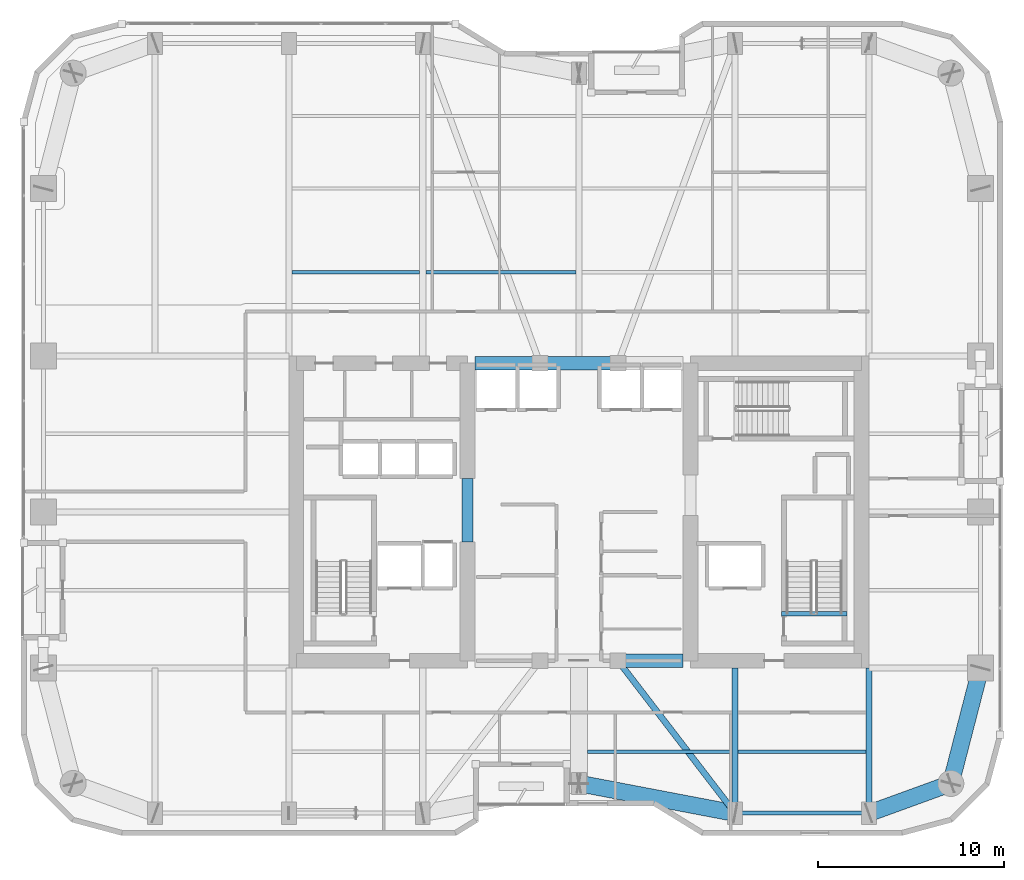
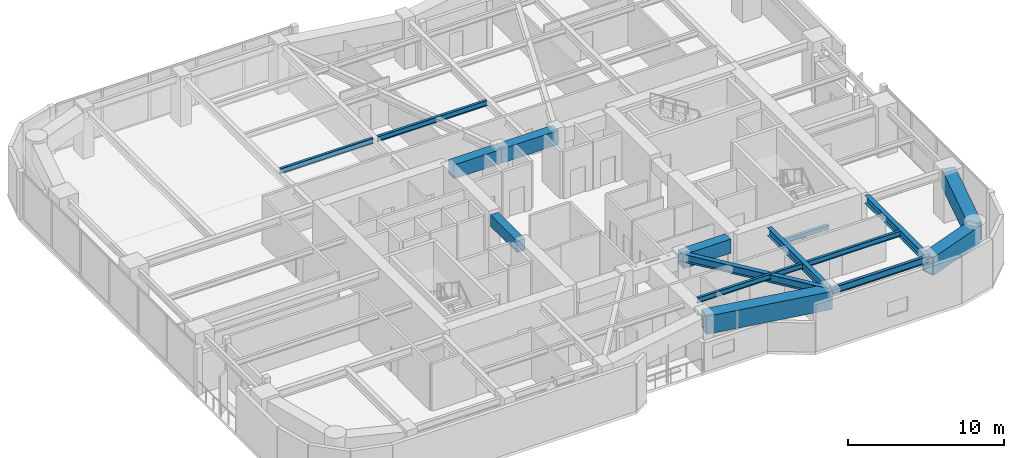
# One storey, part 8 of 30: 16 beams.
"""IFC4 building model written with IfcOpenShell, lengths in metres."""

from ifc_helpers import new_model, si_unit, direction, frame, origin, origin_2d, place, context, subcontext, project, spatial, rectangle, hollow_rectangle, i_section, extrude, material, material_profile, profile_set, type_object, element, save


model = new_model("IFC4")

# Units and contexts
model_context = context("Model", 3, precision=1e-05, world=origin(), true_north=direction((0.0, 1.0)))
body_context = subcontext(model_context, "Body", "Model", "MODEL_VIEW")
ifc_project = project(units=[si_unit("LENGTHUNIT", "METRE"), si_unit("AREAUNIT", "SQUARE_METRE"), si_unit("VOLUMEUNIT", "CUBIC_METRE"), si_unit("PLANEANGLEUNIT", "RADIAN"), si_unit("MASSUNIT", "GRAM", prefix="KILO")], contexts=[model_context])

# Site, building, storey
site_placement = place(None, origin())
site = spatial("IfcSite", under=ifc_project, at=site_placement, CompositionType="ELEMENT")
building_placement = place(site_placement, origin())
building = spatial("IfcBuilding", under=site, at=building_placement, Name="Kiyonajd Concourse Tower", CompositionType="ELEMENT")
storey_placement = place(building_placement, frame((0.0, 0.0, 150.60009765625)))
storey = spatial("IfcBuildingStorey", under=building, at=storey_placement, Name="L38", CompositionType="ELEMENT", Elevation=150.60009765625)

# Beams
ifc_material_1 = material(Name="Concrete C70/85", Category="concrete")
ifc_material_profile_1 = material_profile(ifc_material_1, rectangle(XDim=0.699951171875, YDim=1.10009765625, at=origin_2d()), Name="RCBM-700x1100")
ifc_profile_set_1 = profile_set([ifc_material_profile_1], Name="Concrete C70/85")
beam_type_1 = type_object("IfcBeamType", Name="BM-COUP-1100", PredefinedType="LINTEL", material=ifc_profile_set_1)
for number, where, z_axis, x_axis, name in (
    (1, (50.10009765625, 28.0, 3.1298828125), (1.0, 0.0, 0.0), (0.0, 1.0, 0.0), "L38 Core Coupling Beam S3"),
    (2, (42.39990234375, 44.0, 3.1298828125), (1.0, 0.0, 0.0), (0.0, 1.0, 0.0), "L38 Core Coupling Beam N1"),
):
    element("IfcBeam", number, at=place(storey_placement, frame(where, z_axis=z_axis, x_axis=x_axis)), inside=storey, type_object=beam_type_1, Name=name, PredefinedType="LINTEL", context=body_context, shape_type="SweptSolid", body=[
        extrude(rectangle(XDim=0.699951171875, YDim=1.10009765625, at=origin_2d()), origin(), (0.0, 0.0, 1.0), 3.5),
    ])
beam_1_placement = place(storey_placement, frame((45.89990234375, 44.0, 3.1298828125), z_axis=(1.0, 0.0, 0.0), x_axis=(0.0, 1.0, 0.0)))
element("IfcBeam", 3, at=beam_1_placement, inside=storey, type_object=beam_type_1, Name="L38 Core Coupling Beam N2", PredefinedType="LINTEL", context=body_context, shape_type="SweptSolid", body=[
    extrude(rectangle(XDim=0.699951171875, YDim=1.10009765625, at=origin_2d()), origin(), (0.0, 0.0, 1.0), 4.2001953125),
])
ifc_material_2 = material(Name="Concrete C60/75", Category="concrete")
ifc_material_profile_2 = material_profile(ifc_material_2, rectangle(XDim=0.60009765625, YDim=0.89990234375, at=origin_2d()), Name="RCBM-600x900")
ifc_profile_set_2 = profile_set([ifc_material_profile_2], Name="Concrete C60/75")
beam_type_2 = type_object("IfcBeamType", Name="BM-COUP-900", PredefinedType="LINTEL", material=ifc_profile_set_2)
beam_2_placement = place(storey_placement, frame((42.0, 34.39990234375, 3.1298828125), z_axis=(0.0, 1.0, 0.0), x_axis=(-1.0, 0.0, 0.0)))
element("IfcBeam", 4, at=beam_2_placement, inside=storey, type_object=beam_type_2, Name="L38 West Core Throat Coupling Lintel", PredefinedType="LINTEL", context=body_context, shape_type="SweptSolid", body=[
    extrude(rectangle(XDim=0.60009765625, YDim=0.89990234375, at=origin_2d()), origin(), (0.0, 0.0, 1.0), 3.400146484375),
])
ifc_material_3 = material(Name="Steel ASTM A992 Grade 50", Category="steel")
ifc_material_profile_3 = material_profile(ifc_material_3, i_section(OverallWidth=0.180908203125, OverallDepth=0.4169921875, WebThickness=0.010986328125, FlangeThickness=0.018310546875, at=origin_2d()), Name="W410X85")
ifc_profile_set_3 = profile_set([ifc_material_profile_3], Name="Steel ASTM A992 Grade 50")
beam_type_3 = type_object("IfcBeamType", Name="BM-JST-410", PredefinedType="JOIST", material=ifc_profile_set_3)
beam_3_placement = place(storey_placement, frame((48.449951171875, 23.10009765625, 3.471435546875), z_axis=(1.0, 0.0, 0.0), x_axis=(0.0, 1.0, 0.0)))
element("IfcBeam", 5, at=beam_3_placement, inside=storey, type_object=beam_type_3, Name="L38 Secondary Floor Joist", PredefinedType="JOIST", context=body_context, shape_type="SweptSolid", body=[
    extrude(i_section(OverallWidth=0.180908203125, OverallDepth=0.4169921875, WebThickness=0.010986328125, FlangeThickness=0.018310546875, at=origin_2d()), origin(), (0.0, 0.0, 1.0), 7.78662109375),
])
for number, where, z_axis, x_axis, name in (
    (6, (56.5634765625, 23.10009765625, 3.471435546875), (1.0, 0.0, 0.0), (0.0, 1.0, 0.0), "L38 Secondary Floor Joist"),
    (7, (32.5634765625, 48.89990234375, 3.471435546875), (1.0, 0.0, 0.0), (0.0, 1.0, 0.0), "L38 Secondary Floor Joist"),
):
    element("IfcBeam", number, at=place(storey_placement, frame(where, z_axis=z_axis, x_axis=x_axis)), inside=storey, type_object=beam_type_3, Name=name, PredefinedType="JOIST", context=body_context, shape_type="SweptSolid", body=[
        extrude(i_section(OverallWidth=0.180908203125, OverallDepth=0.4169921875, WebThickness=0.010986328125, FlangeThickness=0.018310546875, at=origin_2d()), origin(), (0.0, 0.0, 1.0), 6.873046875),
    ])
beam_4_placement = place(storey_placement, frame((39.763427734375, 48.89990234375, 3.471435546875), z_axis=(1.0, 0.0, 0.0), x_axis=(0.0, 1.0, 0.0)))
element("IfcBeam", 8, at=beam_4_placement, inside=storey, type_object=beam_type_3, Name="L38 Secondary Floor Joist", PredefinedType="JOIST", context=body_context, shape_type="SweptSolid", body=[
    extrude(i_section(OverallWidth=0.180908203125, OverallDepth=0.4169921875, WebThickness=0.010986328125, FlangeThickness=0.018310546875, at=origin_2d()), origin(), (0.0, 0.0, 1.0), 8.072998046875),
])
ifc_material_4 = material(Name="Concrete C50/60", Category="concrete")
ifc_material_profile_4 = material_profile(ifc_material_4, rectangle(XDim=0.239990234375, YDim=0.320068359375, at=origin_2d()), Name="RCBM-240x320")
ifc_profile_set_4 = profile_set([ifc_material_profile_4], Name="Concrete C50/60")
beam_type_4 = type_object("IfcBeamType", Name="BM-LNT-250", PredefinedType="LINTEL", material=ifc_profile_set_4)
beam_5_placement = place(storey_placement, frame((58.889892578125, 30.530029296875, -0.16015625), z_axis=(1.0, 0.0, 0.0), x_axis=(0.0, 1.0, 0.0)))
element("IfcBeam", 9, at=beam_5_placement, inside=storey, type_object=beam_type_4, Name="L38 Stair ST2 Threshold Support Beam", PredefinedType="LINTEL", context=body_context, shape_type="SweptSolid", body=[
    extrude(rectangle(XDim=0.239990234375, YDim=0.320068359375, at=origin_2d()), origin(), (0.0, 0.0, 1.0), 3.52001953125),
])
ifc_material_profile_5 = material_profile(ifc_material_3, i_section(OverallWidth=0.214111328125, OverallDepth=0.549072265625, WebThickness=0.0146484375, FlangeThickness=0.023681640625, at=origin_2d()), Name="W530X138")
ifc_profile_set_5 = profile_set([ifc_material_profile_5], Name="Steel ASTM A992 Grade 50")
beam_type_5 = type_object("IfcBeamType", Name="BM-SPAN-530A", PredefinedType="SPANDREL", material=ifc_profile_set_5)
beam_6_placement = place(storey_placement, frame((56.39990234375, 19.800048828125, 3.405517578125), z_axis=(1.0, 0.0, 0.0), x_axis=(0.0, 1.0, 0.0)))
element("IfcBeam", 10, at=beam_6_placement, inside=storey, type_object=beam_type_5, Name="L38 Perimeter Bundled Tube Spandrel", PredefinedType="SPANDREL", context=body_context, shape_type="SweptSolid", body=[
    extrude(i_section(OverallWidth=0.214111328125, OverallDepth=0.549072265625, WebThickness=0.0146484375, FlangeThickness=0.023681640625, at=origin_2d()), origin(), (0.0, 0.0, 1.0), 7.2001953125),
])
ifc_material_profile_6 = material_profile(ifc_material_3, i_section(OverallWidth=0.326904296875, OverallDepth=0.6220703125, WebThickness=0.015380859375, FlangeThickness=0.0244140625, at=origin_2d()), Name="W610X195")
ifc_profile_set_6 = profile_set([ifc_material_profile_6], Name="Steel ASTM A992 Grade 50")
beam_type_6 = type_object("IfcBeamType", Name="BM-TWR-610A", PredefinedType="BEAM", material=ifc_profile_set_6)
beam_7_placement = place(storey_placement, frame((50.10009765625, 28.0, 3.368896484375), z_axis=(0.609233709922, -0.792990722956, 0.0), x_axis=(0.792990722956, 0.609233709922, 0.0)))
element("IfcBeam", 11, at=beam_7_placement, inside=storey, type_object=beam_type_6, Name="L38 Core Tie Girder", PredefinedType="BEAM", context=body_context, shape_type="SweptSolid", body=[
    extrude(i_section(OverallWidth=0.326904296875, OverallDepth=0.6220703125, WebThickness=0.015380859375, FlangeThickness=0.0244140625, at=origin_2d()), origin(), (0.0, 0.0, 1.0), 10.340576171875),
])
for number, where, z_axis, x_axis, name in (
    (12, (56.39990234375, 19.800048828125, 3.368896484375), (0.0, 1.0, 0.0), (-1.0, 0.0, 0.0), "L38 South Lease Girder"),
    (13, (63.60009765625, 19.800048828125, 3.368896484375), (0.0, 1.0, 0.0), (-1.0, 0.0, 0.0), "L38 South Lease Girder"),
):
    element("IfcBeam", number, at=place(storey_placement, frame(where, z_axis=z_axis, x_axis=x_axis)), inside=storey, type_object=beam_type_6, Name=name, PredefinedType="BEAM", context=body_context, shape_type="SweptSolid", body=[
        extrude(i_section(OverallWidth=0.326904296875, OverallDepth=0.6220703125, WebThickness=0.015380859375, FlangeThickness=0.0244140625, at=origin_2d()), origin(), (0.0, 0.0, 1.0), 7.800048828125),
    ])
ifc_material_5 = material(Name="Steel ASTM A572 Grade 50", Category="steel")
ifc_material_profile_7 = material_profile(ifc_material_5, hollow_rectangle(XDim=0.89990234375, YDim=1.39990234375, WallThickness=0.070068359375, at=origin_2d()), Name="BOX-1400x900x70")
ifc_profile_set_7 = profile_set([ifc_material_profile_7], Name="Steel ASTM A572 Grade 50")
beam_type_7 = type_object("IfcBeamType", Name="BM-XFER-1400", PredefinedType="BEAM", material=ifc_profile_set_7)
beam_8_placement = place(storey_placement, frame((48.0, 21.39990234375, 2.97998046875), z_axis=(0.982341315253, -0.187097675953, 0.0), x_axis=(0.187097675953, 0.982341315253, 0.0)))
element("IfcBeam", 14, at=beam_8_placement, inside=storey, type_object=beam_type_7, Name="L38 Perimeter Bundled Tube Spandrel", PredefinedType="BEAM", context=body_context, shape_type="SweptSolid", body=[
    extrude(hollow_rectangle(XDim=0.89990234375, YDim=1.39990234375, WallThickness=0.070068359375, at=origin_2d()), origin(), (0.0, 0.0, 1.0), 8.55078125),
])
beam_9_placement = place(storey_placement, frame((63.60009765625, 19.800048828125, 2.97998046875), z_axis=(0.939801036019, 0.341722127901, 0.0), x_axis=(-0.341722127901, 0.939801036019, 0.0)))
element("IfcBeam", 15, at=beam_9_placement, inside=storey, type_object=beam_type_7, Name="L38 Perimeter Bundled Tube Spandrel", PredefinedType="BEAM", context=body_context, shape_type="SweptSolid", body=[
    extrude(hollow_rectangle(XDim=0.89990234375, YDim=1.39990234375, WallThickness=0.070068359375, at=origin_2d()), origin(), (0.0, 0.0, 1.0), 4.681640625),
])
beam_10_placement = place(storey_placement, frame((68.0, 21.39990234375, 2.97998046875), z_axis=(0.249884937687, 0.968275538221, 0.0), x_axis=(-0.968275538221, 0.249884937687, 0.0)))
element("IfcBeam", 16, at=beam_10_placement, inside=storey, type_object=beam_type_7, Name="L38 Perimeter Bundled Tube Spandrel", PredefinedType="BEAM", context=body_context, shape_type="SweptSolid", body=[
    extrude(hollow_rectangle(XDim=0.89990234375, YDim=1.39990234375, WallThickness=0.070068359375, at=origin_2d()), origin(), (0.0, 0.0, 1.0), 6.4033203125),
])

save(model, "model.ifc")
